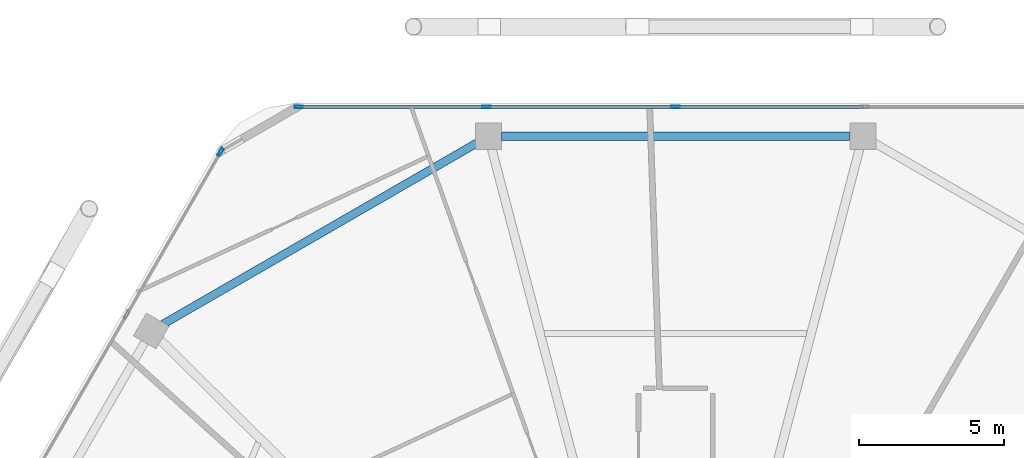
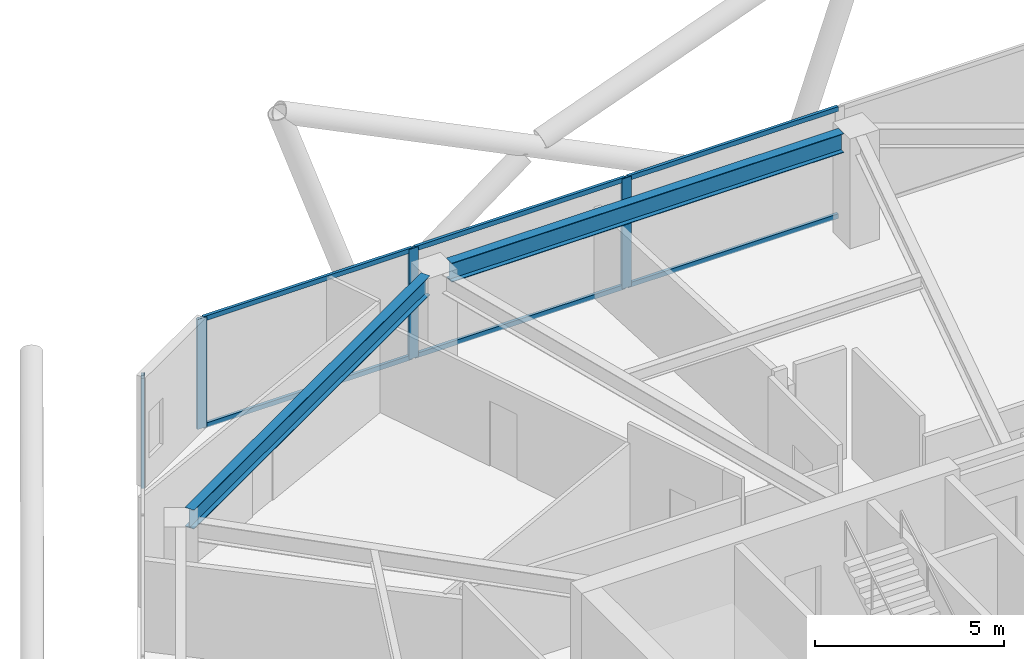
# One storey, part 15 of 27: 10 members, 2 beams, 2 elements without a shape of their own.
"""IFC4 building model written with IfcOpenShell, lengths in metres."""

import ifcopenshell
import ifcopenshell.guid

model = None  # the IFC model being written
_history = None  # IfcOwnerHistory: only IFC2X3 demands one
_inside = {}  # id of a spatial element -> (the spatial element, [elements in it])
_under = {}  # id of a project, library or spatial element -> (it, [spatial elements below it])
_declared = {}  # id of a project -> (the project, [libraries it declares])
_typed = {}  # id of a type object -> (the type object, [elements of that type])
_made_of = {}  # id of a material, layer set ... -> (it, [elements and type objects made of it])


def new_model(schema):
    """Start an empty IFC model of exactly this schema.

    Asked for "IFC4X3", IfcOpenShell would pick the latest addendum, in which some entities
    have other attributes; the version numbers below select the first issue.
    IFC2X3 requires an IfcOwnerHistory on every rooted entity: one is made here for all.
    """
    global model, _history
    if schema == "IFC4X3":
        model = ifcopenshell.file(schema_version=(4, 3, 0, 0))
    else:
        model = ifcopenshell.file(schema=schema)
    _inside.clear()
    _under.clear()
    _declared.clear()
    _typed.clear()
    _made_of.clear()
    _history = None
    if model.schema == "IFC2X3":
        org = make("IfcOrganization", Name="unknown")
        user = make(
            "IfcPersonAndOrganization",
            ThePerson=make("IfcPerson", FamilyName="unknown"),
            TheOrganization=org,
        )
        app = make(
            "IfcApplication",
            ApplicationDeveloper=org,
            Version="unknown",
            ApplicationFullName="unknown",
            ApplicationIdentifier="unknown",
        )
        _history = make(
            "IfcOwnerHistory",
            OwningUser=user,
            OwningApplication=app,
            ChangeAction="ADDED",
            CreationDate=0,
        )
    return model


def make(cls, **values):
    """One entity of the class cls with the attributes given. An attribute that is None is left unset."""
    return model.create_entity(
        cls, **{name: value for name, value in values.items() if value is not None}
    )


def rooted(cls, **values):
    """An entity with a GlobalId (a new one), such as an element, a storey or a relation."""
    return make(cls, GlobalId=ifcopenshell.guid.new(), OwnerHistory=_history, **values)


def si_unit(unit_type, name, prefix=None):
    """IfcSIUnit, for example si_unit("LENGTHUNIT", "METRE", prefix="MILLI")."""
    return make("IfcSIUnit", UnitType=unit_type, Prefix=prefix, Name=name)


def assignment(units):
    """IfcUnitAssignment: the units of a project."""
    return None if units is None else make("IfcUnitAssignment", Units=units)


def point(xyz):
    """IfcCartesianPoint."""
    return None if xyz is None else make("IfcCartesianPoint", Coordinates=xyz)


def direction(xyz):
    """IfcDirection."""
    return None if xyz is None else make("IfcDirection", DirectionRatios=xyz)


def frame(location, z_axis=None, x_axis=None):
    """IfcAxis2Placement3D, a coordinate frame: its origin and axes. An axis left out is left unset."""
    return make(
        "IfcAxis2Placement3D",
        Location=point(location),
        Axis=direction(z_axis),
        RefDirection=direction(x_axis),
    )


def frame_2d(location, x_axis=None):
    """IfcAxis2Placement2D, a coordinate frame in the plane: its origin and x axis."""
    return make(
        "IfcAxis2Placement2D", Location=point(location), RefDirection=direction(x_axis)
    )


def origin():
    """The frame at (0, 0, 0) with its axes left unset."""
    return frame((0.0, 0.0, 0.0))


def origin_2d():
    """The frame at (0, 0) in the plane with its x axis left unset."""
    return frame_2d((0.0, 0.0))


def place(relative_to, where):
    """IfcLocalPlacement: puts the frame where relative to a parent placement (None: the world)."""
    return make(
        "IfcLocalPlacement", PlacementRelTo=relative_to, RelativePlacement=where
    )


def context(
    kind, dimensions, precision=None, world=None, true_north=None, identifier=None
):
    """IfcGeometricRepresentationContext, for example the 3D "Model" context."""
    return make(
        "IfcGeometricRepresentationContext",
        ContextIdentifier=identifier,
        ContextType=kind,
        CoordinateSpaceDimension=dimensions,
        Precision=precision,
        WorldCoordinateSystem=world,
        TrueNorth=true_north,
    )


def subcontext(parent, identifier, kind, view, scale=None):
    """IfcGeometricRepresentationSubContext, for example "Body" below "Model"."""
    return make(
        "IfcGeometricRepresentationSubContext",
        ContextIdentifier=identifier,
        ContextType=kind,
        ParentContext=parent,
        TargetScale=scale,
        TargetView=view,
    )


def project(units=None, contexts=None):
    """IfcProject with its units and contexts."""
    return rooted(
        "IfcProject",
        Name="project",
        RepresentationContexts=contexts,
        UnitsInContext=assignment(units),
    )


def spatial(cls, under=None, at=None, **own):
    """A site, building, storey or space (cls), placed at a placement, below another one or the project."""
    s = rooted(cls, ObjectPlacement=at, **own)
    if under is not None:
        _under.setdefault(under.id(), (under, []))[1].append(s)
    return s


def profile(cls, at=None, kind="AREA", **sizes):
    """A parametric profile (cls). Its sizes go by their IFC names, for example OverallWidth=200.0."""
    return make(cls, ProfileType=kind, Position=at, **sizes)


def hollow_rectangle(**sizes):
    """IfcRectangleHollowProfileDef."""
    return profile("IfcRectangleHollowProfileDef", **sizes)


def i_section(**sizes):
    """IfcIShapeProfileDef."""
    return profile("IfcIShapeProfileDef", **sizes)


def extrude(swept, where, along, depth):
    """IfcExtrudedAreaSolid: the profile swept, set in the frame where, extruded along a direction by depth."""
    return make(
        "IfcExtrudedAreaSolid",
        SweptArea=swept,
        Position=where,
        ExtrudedDirection=direction(along),
        Depth=depth,
    )


def shape(context_of_items, identifier, shape_type, items):
    """IfcShapeRepresentation: the items that make up one representation, for example the "Body"."""
    return make(
        "IfcShapeRepresentation",
        ContextOfItems=context_of_items,
        RepresentationIdentifier=identifier,
        RepresentationType=shape_type,
        Items=items,
    )


def material(Name=None, Category=None):
    """IfcMaterial."""
    return make("IfcMaterial", Name=Name, Category=Category)


def material_profile(
    of_material, cross_section, Name=None, Category=None, Priority=None
):
    """IfcMaterialProfile: a cross section and its material."""
    return make(
        "IfcMaterialProfile",
        Name=Name,
        Material=of_material,
        Profile=cross_section,
        Priority=Priority,
        Category=Category,
    )


def profile_set(profiles, Name=None, composite=None):
    """IfcMaterialProfileSet."""
    return make(
        "IfcMaterialProfileSet",
        Name=Name,
        MaterialProfiles=profiles,
        CompositeProfile=composite,
    )


def made_of(thing, what):
    """Note that an element or type object is made of a material, layer set ...; save() writes the relation."""
    if what is not None:
        _made_of.setdefault(what.id(), (what, []))[1].append(thing)
    return thing


def type_object(cls, material=None, **own):
    """A type object (cls), such as IfcWallType, which elements share."""
    return made_of(rooted(cls, **own), material)


def element(
    cls,
    number,
    at=None,
    inside=None,
    cuts=None,
    type_object=None,
    material=None,
    context=None,
    identifier="Body",
    shape_type=None,
    held_by="IfcProductDefinitionShape",
    body=None,
    shapes=None,
    **own,
):
    """One element of the class cls, such as IfcWall. Its Tag is "e" and its number.

    at: its placement. inside: the storey or other place that contains it. cuts: it is an
    opening in that element (IfcRelVoidsElement). A single representation is given by context,
    identifier, shape_type and body (its items); several are given by shapes. held_by: the class
    of the entity that holds the representations. save() writes the other relations.
    """
    e = rooted(cls, Tag="e%d" % number, ObjectPlacement=at, **own)
    if body is not None:
        shapes = [shape(context, identifier, shape_type, body)]
    if shapes is not None:
        e.Representation = make(held_by, Representations=shapes)
    if inside is not None:
        _inside.setdefault(inside.id(), (inside, []))[1].append(e)
    if cuts is not None:
        rooted(
            "IfcRelVoidsElement", RelatingBuildingElement=cuts, RelatedOpeningElement=e
        )
    if type_object is not None:
        _typed.setdefault(type_object.id(), (type_object, []))[1].append(e)
    return made_of(e, material)


def aggregate(whole, parts):
    """IfcRelAggregates: a whole, such as a stair, and the parts it consists of."""
    return rooted("IfcRelAggregates", RelatingObject=whole, RelatedObjects=parts)


def save(model, path):
    """Write the relations noted so far, then the file.

    IfcRelAggregates (storeys below a building ...), IfcRelContainedInSpatialStructure (elements
    in a storey), IfcRelDefinesByType, IfcRelAssociatesMaterial and IfcRelDeclares: one each for
    every whole, place, type object, material and project.
    """
    for whole, parts in _under.values():
        aggregate(whole, parts)
    for where, things in _inside.values():
        rooted(
            "IfcRelContainedInSpatialStructure",
            RelatedElements=things,
            RelatingStructure=where,
        )
    for kind, things in _typed.values():
        rooted("IfcRelDefinesByType", RelatedObjects=things, RelatingType=kind)
    for what, things in _made_of.values():
        rooted("IfcRelAssociatesMaterial", RelatedObjects=things, RelatingMaterial=what)
    for by, libraries in _declared.values():
        rooted("IfcRelDeclares", RelatingContext=by, RelatedDefinitions=libraries)
    model.write(path)


model = new_model("IFC4")

# Units and contexts
model_context = context("Model", 3, precision=1e-05, world=origin(), true_north=direction((0.0, 1.0)))
body_context = subcontext(model_context, "Body", "Model", "MODEL_VIEW")
ifc_project = project(units=[si_unit("LENGTHUNIT", "METRE"), si_unit("AREAUNIT", "SQUARE_METRE"), si_unit("VOLUMEUNIT", "CUBIC_METRE"), si_unit("PLANEANGLEUNIT", "RADIAN"), si_unit("MASSUNIT", "GRAM", prefix="KILO")], contexts=[model_context])

# Site, building, storey
site_placement = place(None, origin())
site = spatial("IfcSite", under=ifc_project, at=site_placement, CompositionType="ELEMENT")
building_placement = place(site_placement, origin())
building = spatial("IfcBuilding", under=site, at=building_placement, Name="Zuhravey Tower", CompositionType="ELEMENT")
storey_placement = place(building_placement, frame((0.0, 0.0, 238.800048828125)))
storey = spatial("IfcBuildingStorey", under=building, at=storey_placement, Name="L60", CompositionType="ELEMENT", Elevation=238.800048828125)

# Curtain wall, member
ifc_material_1 = material(Name="Thermally broken anodised aluminium", Category="aluminium")
curtain_wall_type = type_object("IfcCurtainWallType", Name="Zone 3-4 High-Rise Curtain Wall CW4", PredefinedType="NOTDEFINED", material=ifc_material_1)
curtain_wall_1_placement = place(storey_placement, origin())
curtain_wall_1 = element("IfcCurtainWall", 1, at=curtain_wall_1_placement, inside=storey, type_object=curtain_wall_type, Name="L60 CW4 CW-L60-F3-1", PredefinedType="NOTDEFINED")
ifc_material_2 = material(Name="Anodised aluminium", Category="aluminium")
ifc_material_profile_1 = material_profile(ifc_material_2, hollow_rectangle(XDim=0.090087890625, YDim=0.284912109375, WallThickness=0.0048828125, at=origin_2d()), Name="ALU-RHS-90x285x5")
ifc_profile_set_1 = profile_set([ifc_material_profile_1], Name="Anodised aluminium")
member_type_1 = type_object("IfcMemberType", Name="Curtain-Wall Mullion 90x180", PredefinedType="MULLION", material=ifc_profile_set_1)
member_1_placement = place(storey_placement, frame((20.34521484375, 56.01220703125, 0.0), z_axis=(0.0, 0.0, 1.0), x_axis=(-0.866024851021, 0.500000957414, 0.0)))
member_1 = element("IfcMember", 2, at=member_1_placement, type_object=member_type_1, Name="CW4 mullion 5", PredefinedType="MULLION", context=body_context, shape_type="SweptSolid", body=[
    extrude(hollow_rectangle(XDim=0.090087890625, YDim=0.284912109375, WallThickness=0.0048828125, at=origin_2d()), origin(), (0.0, 0.0, 1.0), 3.550048828125),
])
aggregate(curtain_wall_1, [member_1])

# Curtain wall, members
curtain_wall_2_placement = place(storey_placement, origin())
curtain_wall_2 = element("IfcCurtainWall", 3, at=curtain_wall_2_placement, inside=storey, type_object=curtain_wall_type, Name="L60 CW4 CW-L60-F2-1", PredefinedType="NOTDEFINED")
member_2_placement = place(storey_placement, frame((23.0322265625, 57.563720703125, 0.0), z_axis=(0.0, 0.0, 1.0), x_axis=(0.0, 1.0, 0.0)))
member_2 = element("IfcMember", 4, at=member_2_placement, type_object=member_type_1, Name="CW4 mullion 1", PredefinedType="MULLION", context=body_context, shape_type="SweptSolid", body=[
    extrude(hollow_rectangle(XDim=0.090087890625, YDim=0.284912109375, WallThickness=0.0048828125, at=origin_2d()), origin(), (0.0, 0.0, 1.0), 3.550048828125),
])
member_3_placement = place(storey_placement, frame((29.49365234375, 57.563720703125, 0.0), z_axis=(0.0, 0.0, 1.0), x_axis=(0.0, 1.0, 0.0)))
member_3 = element("IfcMember", 5, at=member_3_placement, type_object=member_type_1, Name="CW4 mullion 2", PredefinedType="MULLION", context=body_context, shape_type="SweptSolid", body=[
    extrude(hollow_rectangle(XDim=0.090087890625, YDim=0.284912109375, WallThickness=0.0048828125, at=origin_2d()), origin(), (0.0, 0.0, 1.0), 3.550048828125),
])
member_4_placement = place(storey_placement, frame((36.0, 57.563720703125, 0.0), z_axis=(0.0, 0.0, 1.0), x_axis=(0.0, 1.0, 0.0)))
member_4 = element("IfcMember", 6, at=member_4_placement, type_object=member_type_1, Name="CW4 mullion 3", PredefinedType="MULLION", context=body_context, shape_type="SweptSolid", body=[
    extrude(hollow_rectangle(XDim=0.090087890625, YDim=0.284912109375, WallThickness=0.0048828125, at=origin_2d()), origin(), (0.0, 0.0, 1.0), 3.550048828125),
])
ifc_material_profile_2 = material_profile(ifc_material_2, hollow_rectangle(XDim=0.090087890625, YDim=0.14990234375, WallThickness=0.0048828125, at=origin_2d()), Name="ALU-RHS-90x150x5")
ifc_profile_set_2 = profile_set([ifc_material_profile_2], Name="Anodised aluminium")
member_type_2 = type_object("IfcMemberType", Name="Curtain-Wall Transom 90x150", PredefinedType="USERDEFINED", material=ifc_profile_set_2)
member_5_placement = place(storey_placement, frame((23.077392578125, 57.563720703125, 0.044921875), z_axis=(1.0, 0.0, 0.0), x_axis=(0.0, 1.0, 0.0)))
member_5 = element("IfcMember", 7, at=member_5_placement, type_object=member_type_2, Name="CW4 transom 1.1", ObjectType="TRANSOM", PredefinedType="USERDEFINED", context=body_context, shape_type="SweptSolid", body=[
    extrude(hollow_rectangle(XDim=0.090087890625, YDim=0.14990234375, WallThickness=0.0048828125, at=origin_2d()), origin(), (0.0, 0.0, 1.0), 6.371337890625),
])
member_6_placement = place(storey_placement, frame((23.077392578125, 57.563720703125, 3.5048828125), z_axis=(1.0, 0.0, 0.0), x_axis=(0.0, 1.0, 0.0)))
member_6 = element("IfcMember", 8, at=member_6_placement, type_object=member_type_2, Name="CW4 transom 1.2", ObjectType="TRANSOM", PredefinedType="USERDEFINED", context=body_context, shape_type="SweptSolid", body=[
    extrude(hollow_rectangle(XDim=0.090087890625, YDim=0.14990234375, WallThickness=0.0048828125, at=origin_2d()), origin(), (0.0, 0.0, 1.0), 6.371337890625),
])
member_7_placement = place(storey_placement, frame((29.53857421875, 57.563720703125, 0.044921875), z_axis=(1.0, 0.0, 0.0), x_axis=(0.0, 1.0, 0.0)))
member_7 = element("IfcMember", 9, at=member_7_placement, type_object=member_type_2, Name="CW4 transom 2.1", ObjectType="TRANSOM", PredefinedType="USERDEFINED", context=body_context, shape_type="SweptSolid", body=[
    extrude(hollow_rectangle(XDim=0.090087890625, YDim=0.14990234375, WallThickness=0.0048828125, at=origin_2d()), origin(), (0.0, 0.0, 1.0), 6.41650390625),
])
member_8_placement = place(storey_placement, frame((29.53857421875, 57.563720703125, 3.5048828125), z_axis=(1.0, 0.0, 0.0), x_axis=(0.0, 1.0, 0.0)))
member_8 = element("IfcMember", 10, at=member_8_placement, type_object=member_type_2, Name="CW4 transom 2.2", ObjectType="TRANSOM", PredefinedType="USERDEFINED", context=body_context, shape_type="SweptSolid", body=[
    extrude(hollow_rectangle(XDim=0.090087890625, YDim=0.14990234375, WallThickness=0.0048828125, at=origin_2d()), origin(), (0.0, 0.0, 1.0), 6.41650390625),
])
member_9_placement = place(storey_placement, frame((36.044921875, 57.563720703125, 0.044921875), z_axis=(1.0, 0.0, 0.0), x_axis=(0.0, 1.0, 0.0)))
member_9 = element("IfcMember", 11, at=member_9_placement, type_object=member_type_2, Name="CW4 transom 3.1", ObjectType="TRANSOM", PredefinedType="USERDEFINED", context=body_context, shape_type="SweptSolid", body=[
    extrude(hollow_rectangle(XDim=0.090087890625, YDim=0.14990234375, WallThickness=0.0048828125, at=origin_2d()), origin(), (0.0, 0.0, 1.0), 6.41650390625),
])
member_10_placement = place(storey_placement, frame((36.044921875, 57.563720703125, 3.5048828125), z_axis=(1.0, 0.0, 0.0), x_axis=(0.0, 1.0, 0.0)))
member_10 = element("IfcMember", 12, at=member_10_placement, type_object=member_type_2, Name="CW4 transom 3.2", ObjectType="TRANSOM", PredefinedType="USERDEFINED", context=body_context, shape_type="SweptSolid", body=[
    extrude(hollow_rectangle(XDim=0.090087890625, YDim=0.14990234375, WallThickness=0.0048828125, at=origin_2d()), origin(), (0.0, 0.0, 1.0), 6.41650390625),
])
aggregate(curtain_wall_2, [member_2, member_3, member_4, member_5, member_6, member_7, member_8, member_9, member_10])

# Beams
ifc_material_3 = material(Name="Steel SM355", Category="steel")
ifc_material_profile_3 = material_profile(ifc_material_3, i_section(OverallWidth=0.280029296875, OverallDepth=0.6201171875, WebThickness=0.011962890625, FlangeThickness=0.02001953125, at=origin_2d()), Name="H-620x280x12x20")
ifc_profile_set_3 = profile_set([ifc_material_profile_3], Name="Steel SM355")
beam_type = type_object("IfcBeamType", Name="Perimeter Ring Beam H620x280", PredefinedType="BEAM", material=ifc_profile_set_3)
beam_1_placement = place(storey_placement, frame((41.98779296875, 56.5537109375, 3.239990234375), z_axis=(-1.0, 0.0, 0.0), x_axis=(0.0, -1.0, 0.0)))
element("IfcBeam", 13, at=beam_1_placement, inside=storey, type_object=beam_type, Name="L60 PB3 BM-L60-PB-03", PredefinedType="BEAM", context=body_context, shape_type="SweptSolid", body=[
    extrude(i_section(OverallWidth=0.280029296875, OverallDepth=0.6201171875, WebThickness=0.011962890625, FlangeThickness=0.02001953125, at=origin_2d()), origin(), (0.0, 0.0, 1.0), 11.9755859375),
])
beam_2_placement = place(storey_placement, frame((29.166748046875, 56.3271484375, 3.239990234375), z_axis=(-0.866025131093, -0.500000472315, 0.0), x_axis=(0.500000472315, -0.866025131093, 0.0)))
element("IfcBeam", 14, at=beam_2_placement, inside=storey, type_object=beam_type, Name="L60 PB3 BM-L60-PB-04", PredefinedType="BEAM", context=body_context, shape_type="SweptSolid", body=[
    extrude(i_section(OverallWidth=0.280029296875, OverallDepth=0.6201171875, WebThickness=0.011962890625, FlangeThickness=0.02001953125, at=origin_2d()), origin(), (0.0, 0.0, 1.0), 12.49169921875),
])

save(model, "model.ifc")
